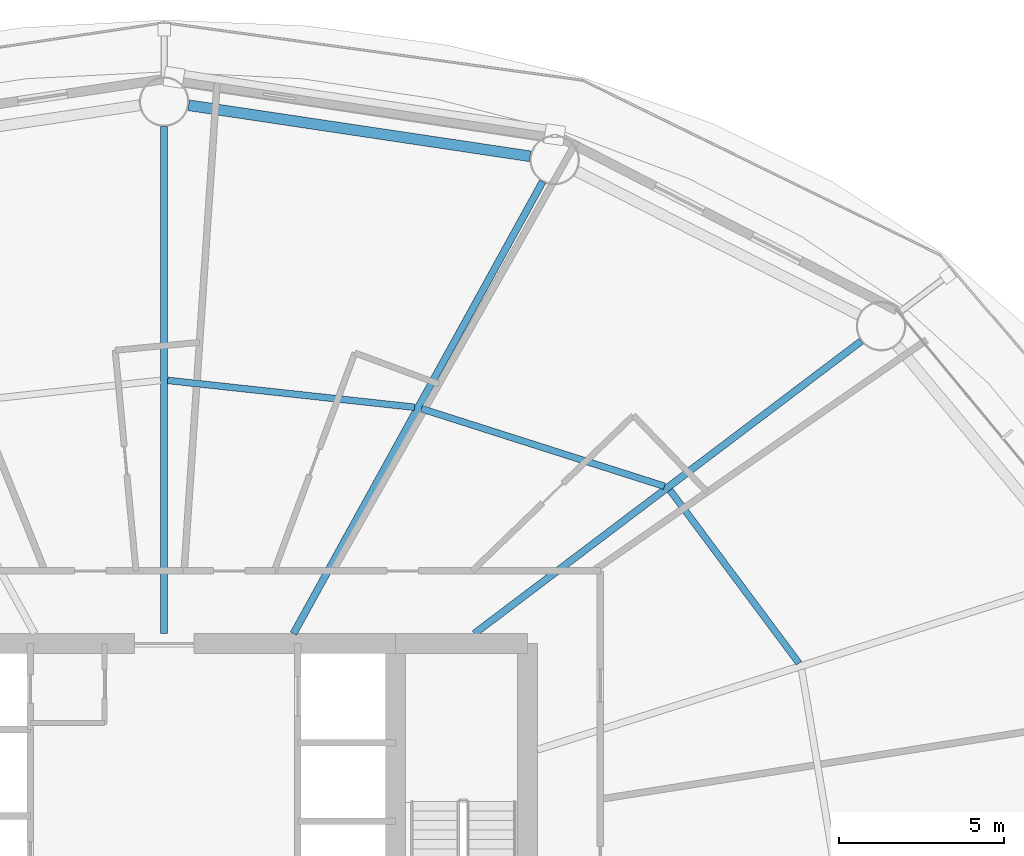
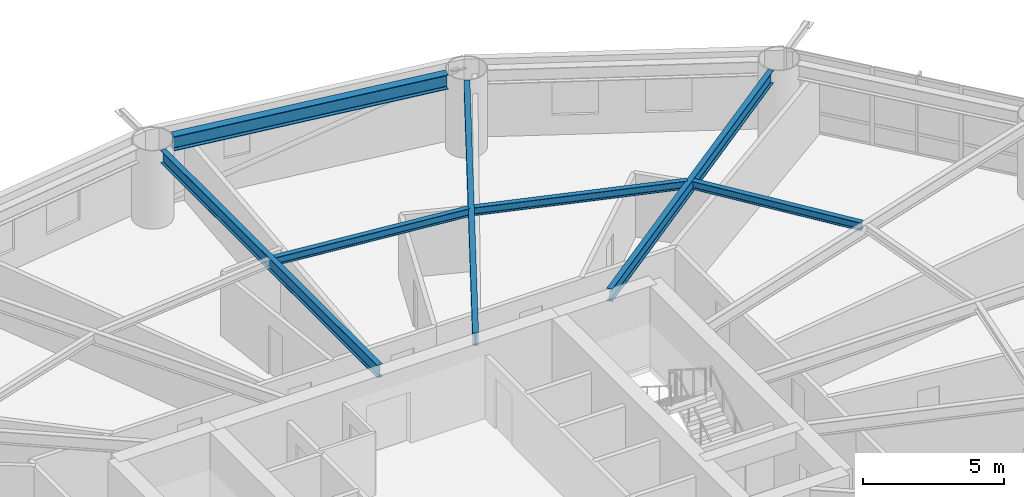
# One storey, part 13 of 26: 7 beams.
"""IFC4 building model written with IfcOpenShell, lengths in metres."""

from ifc_helpers import new_model, si_unit, direction, frame, origin, origin_2d, place, context, subcontext, project, spatial, i_section, extrude, material, material_profile, profile_set, type_object, element, save


model = new_model("IFC4")

# Units and contexts
model_context = context("Model", 3, precision=1e-05, world=origin(), true_north=direction((0.0, 1.0)))
body_context = subcontext(model_context, "Body", "Model", "MODEL_VIEW")
ifc_project = project(units=[si_unit("LENGTHUNIT", "METRE"), si_unit("AREAUNIT", "SQUARE_METRE"), si_unit("VOLUMEUNIT", "CUBIC_METRE"), si_unit("PLANEANGLEUNIT", "RADIAN"), si_unit("MASSUNIT", "GRAM", prefix="KILO")], contexts=[model_context])

# Site, building, storey
site_placement = place(None, origin())
site = spatial("IfcSite", under=ifc_project, at=site_placement, CompositionType="ELEMENT")
building_placement = place(site_placement, origin())
building = spatial("IfcBuilding", under=site, at=building_placement, Name="Sarneth Arch Tower", CompositionType="ELEMENT")
storey_placement = place(building_placement, frame((0.0, 0.0, 64.199951171875)))
storey = spatial("IfcBuildingStorey", under=building, at=storey_placement, Name="L15", CompositionType="ELEMENT", Elevation=64.199951171875)

# Beams
ifc_material_1 = material(Name="Steel S355", Category="steel")
ifc_material_profile_1 = material_profile(ifc_material_1, i_section(OverallWidth=0.202880859375, OverallDepth=0.346923828125, WebThickness=0.0078125, FlangeThickness=0.013427734375, FilletRadius=0.014892578125, at=origin_2d()), Name="W360x64")
ifc_profile_set_1 = profile_set([ifc_material_profile_1], Name="Steel S355")
beam_type_1 = type_object("IfcBeamType", Name="BM-JOIST-360C", PredefinedType="JOIST", material=ifc_profile_set_1)
beam_1_placement = place(storey_placement, frame((67.21142578125, 48.205078125, 3.20654296875), z_axis=(-0.597700490469, 0.801719479428, 0.0), x_axis=(-0.801719479428, -0.597700490469, 0.0)))
element("IfcBeam", 1, at=beam_1_placement, inside=storey, type_object=beam_type_1, Name="L15 Secondary floor joist 02", PredefinedType="JOIST", context=body_context, shape_type="SweptSolid", body=[
    extrude(i_section(OverallWidth=0.202880859375, OverallDepth=0.346923828125, WebThickness=0.0078125, FlangeThickness=0.013427734375, FilletRadius=0.014892578125, at=origin_2d()), origin(), (0.0, 0.0, 1.0), 6.5302734375),
])
beam_2_placement = place(storey_placement, frame((63.142333984375, 53.558837890625, 3.20654296875), z_axis=(-0.95266836992, 0.304011475036, 0.0), x_axis=(-0.304011475036, -0.95266836992, 0.0)))
element("IfcBeam", 2, at=beam_2_placement, inside=storey, type_object=beam_type_1, Name="L15 Secondary floor joist 03", PredefinedType="JOIST", context=body_context, shape_type="SweptSolid", body=[
    extrude(i_section(OverallWidth=0.202880859375, OverallDepth=0.346923828125, WebThickness=0.0078125, FlangeThickness=0.013427734375, FilletRadius=0.014892578125, at=origin_2d()), origin(), (0.0, 0.0, 1.0), 7.720703125),
])
beam_3_placement = place(storey_placement, frame((55.578857421875, 55.9501953125, 3.20654296875), z_axis=(-0.994129966112, 0.108192469602, 0.0), x_axis=(-0.108192469602, -0.994129966112, 0.0)))
element("IfcBeam", 3, at=beam_3_placement, inside=storey, type_object=beam_type_1, Name="L15 Secondary floor joist 04", PredefinedType="JOIST", context=body_context, shape_type="SweptSolid", body=[
    extrude(i_section(OverallWidth=0.202880859375, OverallDepth=0.346923828125, WebThickness=0.0078125, FlangeThickness=0.013427734375, FilletRadius=0.014892578125, at=origin_2d()), origin(), (0.0, 0.0, 1.0), 7.5166015625),
])
ifc_material_2 = material(Name="Steel S355", Category="steel")
ifc_material_profile_2 = material_profile(ifc_material_2, i_section(OverallWidth=0.214111328125, OverallDepth=0.549072265625, WebThickness=0.0146484375, FlangeThickness=0.023681640625, FilletRadius=0.01806640625, at=origin_2d()), Name="W530x138")
ifc_profile_set_2 = profile_set([ifc_material_profile_2], Name="Steel S355")
beam_type_2 = type_object("IfcBeamType", Name="BM-RAD-530A", PredefinedType="BEAM", material=ifc_profile_set_2)
beam_4_placement = place(storey_placement, frame((57.390380859375, 49.10009765625, 3.10546875), z_axis=(0.79765464731, 0.603114469753, 0.0), x_axis=(-0.603114469753, 0.79765464731, 0.0)))
element("IfcBeam", 4, at=beam_4_placement, inside=storey, type_object=beam_type_2, Name="L15 Radial floor girder 03", PredefinedType="BEAM", context=body_context, shape_type="SweptSolid", body=[
    extrude(i_section(OverallWidth=0.214111328125, OverallDepth=0.549072265625, WebThickness=0.0146484375, FlangeThickness=0.023681640625, FilletRadius=0.01806640625, at=origin_2d()), origin(), (0.0, 0.0, 1.0), 14.677978515625),
])
beam_5_placement = place(storey_placement, frame((51.91455078125, 49.10009765625, 3.10546875), z_axis=(0.482841370957, 0.875707833979, 0.0), x_axis=(-0.875707833979, 0.482841370957, 0.0)))
element("IfcBeam", 5, at=beam_5_placement, inside=storey, type_object=beam_type_2, Name="L15 Radial floor girder 04", PredefinedType="BEAM", context=body_context, shape_type="SweptSolid", body=[
    extrude(i_section(OverallWidth=0.214111328125, OverallDepth=0.549072265625, WebThickness=0.0146484375, FlangeThickness=0.023681640625, FilletRadius=0.01806640625, at=origin_2d()), origin(), (0.0, 0.0, 1.0), 15.618408203125),
])
beam_6_placement = place(storey_placement, frame((48.0, 49.10009765625, 3.10546875), z_axis=(0.0, 1.0, 0.0), x_axis=(-1.0, 0.0, 0.0)))
element("IfcBeam", 6, at=beam_6_placement, inside=storey, type_object=beam_type_2, Name="L15 Radial floor girder 05", PredefinedType="BEAM", context=body_context, shape_type="SweptSolid", body=[
    extrude(i_section(OverallWidth=0.214111328125, OverallDepth=0.549072265625, WebThickness=0.0146484375, FlangeThickness=0.023681640625, FilletRadius=0.01806640625, at=origin_2d()), origin(), (0.0, 0.0, 1.0), 15.349853515625),
])
ifc_material_3 = material(Name="Steel S355", Category="steel")
ifc_material_profile_3 = material_profile(ifc_material_3, i_section(OverallWidth=0.326904296875, OverallDepth=0.6220703125, WebThickness=0.015380859375, FlangeThickness=0.0244140625, FilletRadius=0.01904296875, at=origin_2d()), Name="W610x195")
ifc_profile_set_3 = profile_set([ifc_material_profile_3], Name="Steel S355")
beam_type_3 = type_object("IfcBeamType", Name="BM-SPAN-610A", PredefinedType="SPANDREL", material=ifc_profile_set_3)
beam_7_placement = place(storey_placement, frame((59.076171875, 63.544921875, 3.069091796875), z_axis=(-0.989020169581, 0.147780594675, 0.0), x_axis=(-0.147780594675, -0.989020169581, 0.0)))
element("IfcBeam", 7, at=beam_7_placement, inside=storey, type_object=beam_type_3, Name="L15 Perimeter spandrel beam 04", PredefinedType="SPANDREL", context=body_context, shape_type="SweptSolid", body=[
    extrude(i_section(OverallWidth=0.326904296875, OverallDepth=0.6220703125, WebThickness=0.015380859375, FlangeThickness=0.0244140625, FilletRadius=0.01904296875, at=origin_2d()), origin(), (0.0, 0.0, 1.0), 10.44921875),
])

save(model, "model.ifc")
